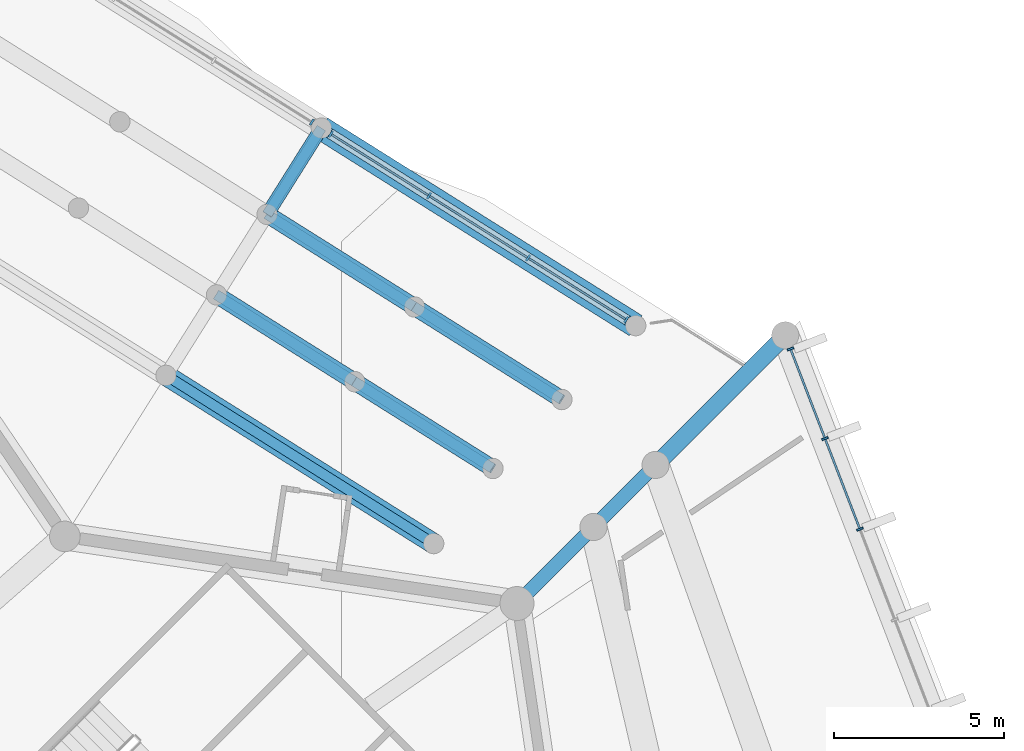
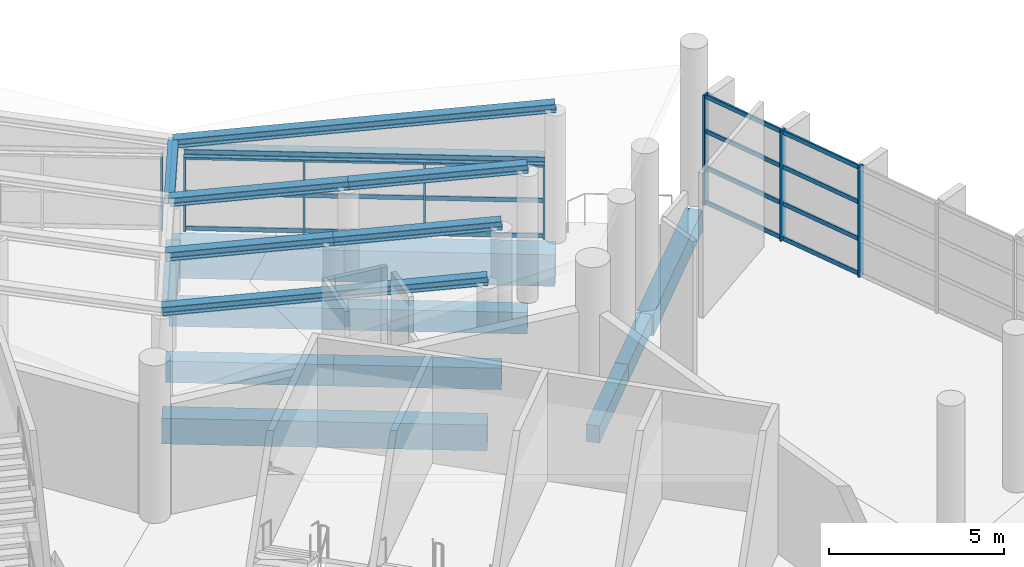
# One storey, part 112 of 271: 25 members, 18 beams, 3 elements without a shape of their own.
"""IFC4 building model written with IfcOpenShell, lengths in metres."""

from ifc_helpers import new_model, si_unit, direction, frame, origin, origin_2d, place, context, subcontext, project, spatial, rectangle, i_section, extrude, material, layer, layer_set, material_profile, profile_set, type_object, element, aggregate, save


model = new_model("IFC4")

# Units and contexts
model_context = context("Model", 3, precision=1e-05, world=origin(), true_north=direction((0.0, 1.0)))
body_context = subcontext(model_context, "Body", "Model", "MODEL_VIEW")
ifc_project = project(units=[si_unit("LENGTHUNIT", "METRE"), si_unit("AREAUNIT", "SQUARE_METRE"), si_unit("VOLUMEUNIT", "CUBIC_METRE"), si_unit("PLANEANGLEUNIT", "RADIAN"), si_unit("MASSUNIT", "GRAM", prefix="KILO")], contexts=[model_context])

# Site, building, storey
site_placement = place(None, origin())
site = spatial("IfcSite", under=ifc_project, at=site_placement, CompositionType="ELEMENT")
building_placement = place(site_placement, origin())
building = spatial("IfcBuilding", under=site, at=building_placement, Name="Meseta Stadium", CompositionType="ELEMENT")
storey_placement = place(building_placement, frame((0.0, 0.0, 6.5)))
storey = spatial("IfcBuildingStorey", under=building, at=storey_placement, Name="L01", CompositionType="ELEMENT", Elevation=6.5)

# Beams
ifc_material_1 = material(Name="Steel S355", Category="steel")
ifc_material_profile_1 = material_profile(ifc_material_1, i_section(OverallWidth=0.300048828125, OverallDepth=0.300048828125, WebThickness=0.010986328125, FlangeThickness=0.01904296875, FilletRadius=0.027099609375, at=origin_2d()), Name="HEB 300")
ifc_profile_set_1 = profile_set([ifc_material_profile_1], Name="Steel S355")
beam_type_1 = type_object("IfcBeamType", Name="Gate roof beam HEB 300", PredefinedType="BEAM", material=ifc_profile_set_1)
beam_1_placement = place(storey_placement, frame((77.8154296875, 100.634033203125, 3.14453125), z_axis=(0.531932504062, 0.846552111467, -0.01993323088), x_axis=(-0.84672034344, 0.532038212918, 0.0)))
element("IfcBeam", 1, at=beam_1_placement, inside=storey, type_object=beam_type_1, Name="Gate 2 valley beam", PredefinedType="BEAM", context=body_context, shape_type="SweptSolid", body=[
    extrude(i_section(OverallWidth=0.300048828125, OverallDepth=0.300048828125, WebThickness=0.010986328125, FlangeThickness=0.01904296875, FilletRadius=0.027099609375, at=origin_2d()), origin(), (0.0, 0.0, 1.0), 3.000732421875),
])
beam_2_placement = place(storey_placement, frame((88.415283203125, 97.516845703125, 2.774658203125), z_axis=(-0.846725649112, 0.532029769032, 0.0), x_axis=(-0.532029769032, -0.846725649112, 0.0)))
element("IfcBeam", 2, at=beam_2_placement, inside=storey, type_object=beam_type_1, Name="Gate 2 head beam", PredefinedType="BEAM", context=body_context, shape_type="SweptSolid", body=[
    extrude(i_section(OverallWidth=0.300048828125, OverallDepth=0.300048828125, WebThickness=0.010986328125, FlangeThickness=0.01904296875, FilletRadius=0.027099609375, at=origin_2d()), origin(), (0.0, 0.0, 1.0), 10.333740234375),
])
ifc_material_2 = material(Name="Steel S355", Category="steel")
ifc_material_profile_2 = material_profile(ifc_material_2, i_section(OverallWidth=0.300048828125, OverallDepth=0.300048828125, WebThickness=0.010986328125, FlangeThickness=0.01904296875, FilletRadius=0.027099609375, at=origin_2d()), Name="HEB 300")
ifc_profile_set_2 = profile_set([ifc_material_profile_2], Name="Steel S355")
beam_type_2 = type_object("IfcBeamType", Name="Gate roof beam HEB 300 rafter", PredefinedType="BEAM", material=ifc_profile_set_2)
beam_3_placement = place(storey_placement, frame((82.719482421875, 90.93896484375, 4.56005859375), z_axis=(-0.838536373726, 0.52690935345, -0.138648055105), x_axis=(-0.53204802373, -0.84671417872, 0.0)))
element("IfcBeam", 3, at=beam_3_placement, inside=storey, type_object=beam_type_2, Name="Gate 2 roof rafter", PredefinedType="BEAM", context=body_context, shape_type="SweptSolid", body=[
    extrude(i_section(OverallWidth=0.300048828125, OverallDepth=0.300048828125, WebThickness=0.010986328125, FlangeThickness=0.01904296875, FilletRadius=0.027099609375, at=origin_2d()), origin(), (0.0, 0.0, 1.0), 9.4013671875),
])
for number, where, z_axis, x_axis, name in (
    (4, (84.462646484375, 93.150390625, 4.5458984375), (-0.83854094542, 0.526906039336, -0.138632999558), (-0.532043544989, -0.846716993, 0.0), "Gate 2 roof rafter"),
    (5, (80.394287109375, 95.706787109375, 3.873291015625), (-0.838555882071, 0.526883806851, -0.138627150021), (-0.532020655849, -0.846731375201, 0.0), "Gate 2 roof rafter"),
):
    element("IfcBeam", number, at=place(storey_placement, frame(where, z_axis=z_axis, x_axis=x_axis)), inside=storey, type_object=beam_type_2, Name=name, PredefinedType="BEAM", context=body_context, shape_type="SweptSolid", body=[
        extrude(i_section(OverallWidth=0.300048828125, OverallDepth=0.300048828125, WebThickness=0.010986328125, FlangeThickness=0.01904296875, FilletRadius=0.027099609375, at=origin_2d()), origin(), (0.0, 0.0, 1.0), 4.851806640625),
    ])
for number, where, z_axis, x_axis, name in (
    (6, (86.49365234375, 95.181396484375, 4.57958984375), (-0.838555120685, 0.526874755679, -0.138666150886), (-0.532014449592, -0.846735274702, 0.0), "Gate 2 roof rafter"),
    (7, (82.154541015625, 97.90771484375, 3.862060546875), (-0.838555120685, 0.526874755679, -0.138666150886), (-0.532014449592, -0.846735274702, 0.0), "Gate 2 roof rafter"),
):
    element("IfcBeam", number, at=place(storey_placement, frame(where, z_axis=z_axis, x_axis=x_axis)), inside=storey, type_object=beam_type_2, Name=name, PredefinedType="BEAM", context=body_context, shape_type="SweptSolid", body=[
        extrude(i_section(OverallWidth=0.300048828125, OverallDepth=0.300048828125, WebThickness=0.010986328125, FlangeThickness=0.01904296875, FilletRadius=0.027099609375, at=origin_2d()), origin(), (0.0, 0.0, 1.0), 5.174560546875),
    ])
beam_4_placement = place(storey_placement, frame((88.66943359375, 97.357177734375, 4.615478515625), z_axis=(-0.838543051713, 0.526897818913, -0.13865150143), x_axis=(-0.532036635909, -0.846721334354, 0.0)))
element("IfcBeam", 8, at=beam_4_placement, inside=storey, type_object=beam_type_2, Name="Gate 2 roof rafter", PredefinedType="BEAM", context=body_context, shape_type="SweptSolid", body=[
    extrude(i_section(OverallWidth=0.300048828125, OverallDepth=0.300048828125, WebThickness=0.010986328125, FlangeThickness=0.01904296875, FilletRadius=0.027099609375, at=origin_2d()), origin(), (0.0, 0.0, 1.0), 11.040283203125),
])
ifc_material_3 = material(Name="Concrete C40/50", Category="concrete")
ifc_material_profile_3 = material_profile(ifc_material_3, rectangle(XDim=0.39990234375, YDim=0.60009765625, at=origin_2d()), Name="RC 400x600")
ifc_profile_set_3 = profile_set([ifc_material_profile_3], Name="Concrete C40/50")
beam_type_3 = type_object("IfcBeamType", Name="RC beam 400x600", PredefinedType="BEAM", material=ifc_profile_set_3)
beam_5_placement = place(storey_placement, frame((85.173583984375, 89.173583984375, -0.64990234375), z_axis=(0.707106781187, 0.707106781187, 0.0), x_axis=(-0.707106781187, 0.707106781187, 0.0)))
element("IfcBeam", 9, at=beam_5_placement, inside=storey, type_object=beam_type_3, Name="L01 radial beam frame 12 line R to M", PredefinedType="BEAM", context=body_context, shape_type="SweptSolid", body=[
    extrude(rectangle(XDim=0.39990234375, YDim=0.60009765625, at=origin_2d()), origin(), (0.0, 0.0, 1.0), 3.18603515625),
])
beam_6_placement = place(storey_placement, frame((87.426513671875, 91.426513671875, -0.64990234375), z_axis=(0.707106781187, 0.707106781187, 0.0), x_axis=(-0.707106781187, 0.707106781187, 0.0)))
element("IfcBeam", 10, at=beam_6_placement, inside=storey, type_object=beam_type_3, Name="L01 radial beam frame 12 line M to Q", PredefinedType="BEAM", context=body_context, shape_type="SweptSolid", body=[
    extrude(rectangle(XDim=0.39990234375, YDim=0.60009765625, at=origin_2d()), origin(), (0.0, 0.0, 1.0), 2.585693359375),
])
beam_7_placement = place(storey_placement, frame((77.8154296875, 100.634033203125, -0.64990234375), z_axis=(0.532038212918, 0.84672034344, 0.0), x_axis=(-0.84672034344, 0.532038212918, 0.0)))
element("IfcBeam", 11, at=beam_7_placement, inside=storey, type_object=beam_type_3, Name="Gate 2 floor beam", PredefinedType="BEAM", context=body_context, shape_type="SweptSolid", body=[
    extrude(rectangle(XDim=0.39990234375, YDim=0.60009765625, at=origin_2d()), origin(), (0.0, 0.0, 1.0), 3.000244140625),
])
ifc_material_4 = material(Name="Concrete C40/50", Category="concrete")
ifc_material_profile_4 = material_profile(ifc_material_4, rectangle(XDim=0.5, YDim=0.75, at=origin_2d()), Name="RC 500x750")
ifc_profile_set_4 = profile_set([ifc_material_profile_4], Name="Concrete C40/50")
beam_type_4 = type_object("IfcBeamType", Name="RC beam 500x750", PredefinedType="BEAM", material=ifc_profile_set_4)
beam_8_placement = place(storey_placement, frame((89.2548828125, 93.2548828125, -0.72509765625), z_axis=(0.707106781187, 0.707106781187, 0.0), x_axis=(-0.707106781187, 0.707106781187, 0.0)))
element("IfcBeam", 12, at=beam_8_placement, inside=storey, type_object=beam_type_4, Name="L01 radial beam frame 12 line Q to O", PredefinedType="BEAM", context=body_context, shape_type="SweptSolid", body=[
    extrude(rectangle(XDim=0.5, YDim=0.75, at=origin_2d()), origin(), (0.0, 0.0, 1.0), 5.39990234375),
])
beam_9_placement = place(storey_placement, frame((84.462646484375, 93.150390625, -0.72509765625), z_axis=(-0.846716993, 0.532043544989, 0.0), x_axis=(-0.532043544989, -0.846716993, 0.0)))
element("IfcBeam", 13, at=beam_9_placement, inside=storey, type_object=beam_type_4, Name="Gate 2 floor beam", PredefinedType="BEAM", context=body_context, shape_type="SweptSolid", body=[
    extrude(rectangle(XDim=0.5, YDim=0.75, at=origin_2d()), origin(), (0.0, 0.0, 1.0), 4.804931640625),
])
beam_10_placement = place(storey_placement, frame((80.394287109375, 95.706787109375, -0.72509765625), z_axis=(-0.846731375201, 0.532020655849, 0.0), x_axis=(-0.532020655849, -0.846731375201, 0.0)))
element("IfcBeam", 14, at=beam_10_placement, inside=storey, type_object=beam_type_4, Name="Gate 2 floor beam", PredefinedType="BEAM", context=body_context, shape_type="SweptSolid", body=[
    extrude(rectangle(XDim=0.5, YDim=0.75, at=origin_2d()), origin(), (0.0, 0.0, 1.0), 4.80517578125),
])
for number, where, z_axis, x_axis, name in (
    (15, (86.49365234375, 95.181396484375, -0.72509765625), (-0.846735274702, 0.532014449592, 0.0), (-0.532014449592, -0.846735274702, 0.0), "Gate 2 floor beam"),
    (16, (82.154541015625, 97.90771484375, -0.72509765625), (-0.846735274702, 0.532014449592, 0.0), (-0.532014449592, -0.846735274702, 0.0), "Gate 2 floor beam"),
):
    element("IfcBeam", number, at=place(storey_placement, frame(where, z_axis=z_axis, x_axis=x_axis)), inside=storey, type_object=beam_type_4, Name=name, PredefinedType="BEAM", context=body_context, shape_type="SweptSolid", body=[
        extrude(rectangle(XDim=0.5, YDim=0.75, at=origin_2d()), origin(), (0.0, 0.0, 1.0), 5.12451171875),
    ])
ifc_material_5 = material(Name="Concrete C40/50", Category="concrete")
ifc_material_profile_5 = material_profile(ifc_material_5, rectangle(XDim=0.60009765625, YDim=0.89990234375, at=origin_2d()), Name="RC 600x900")
ifc_profile_set_5 = profile_set([ifc_material_profile_5], Name="Concrete C40/50")
beam_type_5 = type_object("IfcBeamType", Name="RC beam 600x900", PredefinedType="BEAM", material=ifc_profile_set_5)
beam_11_placement = place(storey_placement, frame((82.719482421875, 90.93896484375, -0.800048828125), z_axis=(-0.84671417872, 0.53204802373, 0.0), x_axis=(-0.53204802373, -0.84671417872, 0.0)))
element("IfcBeam", 17, at=beam_11_placement, inside=storey, type_object=beam_type_5, Name="Gate 2 floor beam", PredefinedType="BEAM", context=body_context, shape_type="SweptSolid", body=[
    extrude(rectangle(XDim=0.60009765625, YDim=0.89990234375, at=origin_2d()), origin(), (0.0, 0.0, 1.0), 9.310546875),
])
ifc_material_6 = material(Name="Concrete C40/50", Category="concrete")
ifc_material_profile_6 = material_profile(ifc_material_6, rectangle(XDim=0.699951171875, YDim=1.10009765625, at=origin_2d()), Name="RC 700x1100")
ifc_profile_set_6 = profile_set([ifc_material_profile_6], Name="Concrete C40/50")
beam_type_6 = type_object("IfcBeamType", Name="RC beam 700x1100", PredefinedType="BEAM", material=ifc_profile_set_6)
beam_12_placement = place(storey_placement, frame((88.66943359375, 97.357177734375, -0.89990234375), z_axis=(-0.846721334354, 0.532036635909, 0.0), x_axis=(-0.532036635909, -0.846721334354, 0.0)))
element("IfcBeam", 18, at=beam_12_placement, inside=storey, type_object=beam_type_6, Name="Gate 2 floor beam", PredefinedType="BEAM", context=body_context, shape_type="SweptSolid", body=[
    extrude(rectangle(XDim=0.699951171875, YDim=1.10009765625, at=origin_2d()), origin(), (0.0, 0.0, 1.0), 10.933837890625),
])

# Curtain wall, members
ifc_material_7 = material(Name="Aluminium", Category="aluminium")
ifc_layer_1 = layer(ifc_material_7, 0.199951171875)
ifc_layer_set_1 = layer_set([ifc_layer_1], Name="Ring shopfront curtain wall")
curtain_wall_type_1 = type_object("IfcCurtainWallType", Name="Ring shopfront curtain wall", PredefinedType="NOTDEFINED", material=ifc_layer_set_1)
curtain_wall_1_placement = place(storey_placement, origin())
curtain_wall_1 = element("IfcCurtainWall", 19, at=curtain_wall_1_placement, inside=storey, type_object=curtain_wall_type_1, Name="Ring glazing L01 F11", PredefinedType="NOTDEFINED")
ifc_material_8 = material(Name="Aluminium", Category="aluminium")
ifc_material_profile_7 = material_profile(ifc_material_8, rectangle(XDim=0.199951171875, YDim=0.06005859375, at=origin_2d()), Name="CW 200x60")
ifc_profile_set_7 = profile_set([ifc_material_profile_7], Name="Aluminium")
member_type_1 = type_object("IfcMemberType", Name="Ring CW mullion 60x200", PredefinedType="MULLION", material=ifc_profile_set_7)
member_1_placement = place(storey_placement, frame((95.271484375, 91.36376953125, 0.0), z_axis=(0.0, 0.0, 1.0), x_axis=(-0.933221328815, -0.359302033734, 0.0)))
member_1 = element("IfcMember", 20, at=member_1_placement, type_object=member_type_1, Name="CWR1 mullion 4", PredefinedType="MULLION", context=body_context, shape_type="SweptSolid", body=[
    extrude(rectangle(XDim=0.199951171875, YDim=0.06005859375, at=origin_2d()), origin(), (0.0, 0.0, 1.0), 3.85009765625),
])
member_2_placement = place(storey_placement, frame((94.244140625, 94.03173828125, 0.0), z_axis=(0.0, 0.0, 1.0), x_axis=(-0.933221328815, -0.359302033734, 0.0)))
member_2 = element("IfcMember", 21, at=member_2_placement, type_object=member_type_1, Name="CWR1 mullion 5", PredefinedType="MULLION", context=body_context, shape_type="SweptSolid", body=[
    extrude(rectangle(XDim=0.199951171875, YDim=0.06005859375, at=origin_2d()), origin(), (0.0, 0.0, 1.0), 3.85009765625),
])
member_3_placement = place(storey_placement, frame((93.227783203125, 96.671875, 0.0), z_axis=(0.0, 0.0, 1.0), x_axis=(-0.933221328815, -0.359302033734, 0.0)))
member_3 = element("IfcMember", 22, at=member_3_placement, type_object=member_type_1, Name="CWR1 mullion 6", PredefinedType="MULLION", context=body_context, shape_type="SweptSolid", body=[
    extrude(rectangle(XDim=0.199951171875, YDim=0.06005859375, at=origin_2d()), origin(), (0.0, 0.0, 1.0), 3.85009765625),
])

ifc_material_9 = material(Name="Aluminium", Category="aluminium")
ifc_layer_2 = layer(ifc_material_9, 0.199951171875)
ifc_layer_set_2 = layer_set([ifc_layer_2], Name="Gate hall curtain wall")
curtain_wall_type_2 = type_object("IfcCurtainWallType", Name="Gate hall curtain wall", PredefinedType="NOTDEFINED", material=ifc_layer_set_2)
curtain_wall_2_placement = place(storey_placement, origin())
curtain_wall_2 = element("IfcCurtainWall", 23, at=curtain_wall_2_placement, inside=storey, type_object=curtain_wall_type_2, Name="Gate 2 hall glazing", PredefinedType="NOTDEFINED")
member_4_placement = place(storey_placement, frame((79.69091796875, 102.998779296875, 0.0), z_axis=(0.0, 0.0, 1.0), x_axis=(0.532034592979, 0.846722618024, 0.0)))
member_4 = element("IfcMember", 24, at=member_4_placement, type_object=member_type_1, Name="CWG1 mullion 1", PredefinedType="MULLION", context=body_context, shape_type="SweptSolid", body=[
    extrude(rectangle(XDim=0.199951171875, YDim=0.06005859375, at=origin_2d()), origin(), (0.0, 0.0, 1.0), 2.62451171875),
])
member_5_placement = place(storey_placement, frame((82.582275390625, 101.18212890625, 0.0), z_axis=(0.0, 0.0, 1.0), x_axis=(0.532034592979, 0.846722618024, 0.0)))
member_5 = element("IfcMember", 25, at=member_5_placement, type_object=member_type_1, Name="CWG1 mullion 2", PredefinedType="MULLION", context=body_context, shape_type="SweptSolid", body=[
    extrude(rectangle(XDim=0.199951171875, YDim=0.06005859375, at=origin_2d()), origin(), (0.0, 0.0, 1.0), 2.62451171875),
])
member_6_placement = place(storey_placement, frame((85.498779296875, 99.349365234375, 0.0), z_axis=(0.0, 0.0, 1.0), x_axis=(0.532034592979, 0.846722618024, 0.0)))
member_6 = element("IfcMember", 26, at=member_6_placement, type_object=member_type_1, Name="CWG1 mullion 3", PredefinedType="MULLION", context=body_context, shape_type="SweptSolid", body=[
    extrude(rectangle(XDim=0.199951171875, YDim=0.06005859375, at=origin_2d()), origin(), (0.0, 0.0, 1.0), 2.62451171875),
])
member_7_placement = place(storey_placement, frame((88.389892578125, 97.53271484375, 0.0), z_axis=(0.0, 0.0, 1.0), x_axis=(0.532034592979, 0.846722618024, 0.0)))
member_7 = element("IfcMember", 27, at=member_7_placement, type_object=member_type_1, Name="CWG1 mullion 4", PredefinedType="MULLION", context=body_context, shape_type="SweptSolid", body=[
    extrude(rectangle(XDim=0.199951171875, YDim=0.06005859375, at=origin_2d()), origin(), (0.0, 0.0, 1.0), 2.62451171875),
])

# Curtain wall, member
curtain_wall_3_placement = place(storey_placement, origin())
curtain_wall_3 = element("IfcCurtainWall", 28, at=curtain_wall_3_placement, inside=storey, type_object=curtain_wall_type_2, Name="Gate 2 hall glazing", PredefinedType="NOTDEFINED")
member_8_placement = place(storey_placement, frame((79.132080078125, 103.349853515625, 0.0), z_axis=(0.0, 0.0, 1.0), x_axis=(0.532027655072, 0.846726977389, 0.0)))
member_8 = element("IfcMember", 29, at=member_8_placement, type_object=member_type_1, Name="CWG1 mullion 4", PredefinedType="MULLION", context=body_context, shape_type="SweptSolid", body=[
    extrude(rectangle(XDim=0.199951171875, YDim=0.06005859375, at=origin_2d()), origin(), (0.0, 0.0, 1.0), 2.62451171875),
])
aggregate(curtain_wall_3, [member_8])

# Member
ifc_material_10 = material(Name="Aluminium", Category="aluminium")
ifc_material_profile_8 = material_profile(ifc_material_10, rectangle(XDim=0.06005859375, YDim=0.14990234375, at=origin_2d()), Name="CW 60x150")
ifc_profile_set_8 = profile_set([ifc_material_profile_8], Name="Aluminium")
member_type_2 = type_object("IfcMemberType", Name="Ring CW transom 60x150", PredefinedType="USERDEFINED", material=ifc_profile_set_8)
member_9_placement = place(storey_placement, frame((95.2607421875, 91.3916015625, 0.074951171875), z_axis=(-0.359358964399, 0.933199407793, 0.0), x_axis=(-0.933199407793, -0.359358964399, 0.0)))
member_9 = element("IfcMember", 30, at=member_9_placement, type_object=member_type_2, Name="CWR1 transom 4.1", ObjectType="TRANSOM", PredefinedType="USERDEFINED", context=body_context, shape_type="SweptSolid", body=[
    extrude(rectangle(XDim=0.06005859375, YDim=0.14990234375, at=origin_2d()), origin(), (0.0, 0.0, 1.0), 2.799072265625),
])

member_10_placement = place(storey_placement, frame((95.2607421875, 91.3916015625, 1.283447265625), z_axis=(-0.359358964399, 0.933199407793, 0.0), x_axis=(-0.933199407793, -0.359358964399, 0.0)))
member_10 = element("IfcMember", 31, at=member_10_placement, type_object=member_type_2, Name="CWR1 transom 4.2", ObjectType="TRANSOM", PredefinedType="USERDEFINED", context=body_context, shape_type="SweptSolid", body=[
    extrude(rectangle(XDim=0.06005859375, YDim=0.14990234375, at=origin_2d()), origin(), (0.0, 0.0, 1.0), 2.799072265625),
])

member_11_placement = place(storey_placement, frame((95.2607421875, 91.3916015625, 2.566650390625), z_axis=(-0.359358964399, 0.933199407793, 0.0), x_axis=(-0.933199407793, -0.359358964399, 0.0)))
member_11 = element("IfcMember", 32, at=member_11_placement, type_object=member_type_2, Name="CWR1 transom 4.3", ObjectType="TRANSOM", PredefinedType="USERDEFINED", context=body_context, shape_type="SweptSolid", body=[
    extrude(rectangle(XDim=0.06005859375, YDim=0.14990234375, at=origin_2d()), origin(), (0.0, 0.0, 1.0), 2.799072265625),
])

member_12_placement = place(storey_placement, frame((95.2607421875, 91.3916015625, 3.77490234375), z_axis=(-0.359358964399, 0.933199407793, 0.0), x_axis=(-0.933199407793, -0.359358964399, 0.0)))
member_12 = element("IfcMember", 33, at=member_12_placement, type_object=member_type_2, Name="CWR1 transom 4.4", ObjectType="TRANSOM", PredefinedType="USERDEFINED", context=body_context, shape_type="SweptSolid", body=[
    extrude(rectangle(XDim=0.06005859375, YDim=0.14990234375, at=origin_2d()), origin(), (0.0, 0.0, 1.0), 2.799072265625),
])

member_13_placement = place(storey_placement, frame((94.2333984375, 94.059814453125, 0.074951171875), z_axis=(-0.35930402419, 0.933220562461, 0.0), x_axis=(-0.933220562461, -0.35930402419, 0.0)))
member_13 = element("IfcMember", 34, at=member_13_placement, type_object=member_type_2, Name="CWR1 transom 5.1", ObjectType="TRANSOM", PredefinedType="USERDEFINED", context=body_context, shape_type="SweptSolid", body=[
    extrude(rectangle(XDim=0.06005859375, YDim=0.14990234375, at=origin_2d()), origin(), (0.0, 0.0, 1.0), 2.768798828125),
])

member_14_placement = place(storey_placement, frame((94.2333984375, 94.059814453125, 1.283447265625), z_axis=(-0.35930402419, 0.933220562461, 0.0), x_axis=(-0.933220562461, -0.35930402419, 0.0)))
member_14 = element("IfcMember", 35, at=member_14_placement, type_object=member_type_2, Name="CWR1 transom 5.2", ObjectType="TRANSOM", PredefinedType="USERDEFINED", context=body_context, shape_type="SweptSolid", body=[
    extrude(rectangle(XDim=0.06005859375, YDim=0.14990234375, at=origin_2d()), origin(), (0.0, 0.0, 1.0), 2.768798828125),
])

member_15_placement = place(storey_placement, frame((94.2333984375, 94.059814453125, 2.566650390625), z_axis=(-0.35930402419, 0.933220562461, 0.0), x_axis=(-0.933220562461, -0.35930402419, 0.0)))
member_15 = element("IfcMember", 36, at=member_15_placement, type_object=member_type_2, Name="CWR1 transom 5.3", ObjectType="TRANSOM", PredefinedType="USERDEFINED", context=body_context, shape_type="SweptSolid", body=[
    extrude(rectangle(XDim=0.06005859375, YDim=0.14990234375, at=origin_2d()), origin(), (0.0, 0.0, 1.0), 2.768798828125),
])

member_16_placement = place(storey_placement, frame((94.2333984375, 94.059814453125, 3.77490234375), z_axis=(-0.35930402419, 0.933220562461, 0.0), x_axis=(-0.933220562461, -0.35930402419, 0.0)))
member_16 = element("IfcMember", 37, at=member_16_placement, type_object=member_type_2, Name="CWR1 transom 5.4", ObjectType="TRANSOM", PredefinedType="USERDEFINED", context=body_context, shape_type="SweptSolid", body=[
    extrude(rectangle(XDim=0.06005859375, YDim=0.14990234375, at=origin_2d()), origin(), (0.0, 0.0, 1.0), 2.768798828125),
])

aggregate(curtain_wall_1, [member_1, member_2, member_3, member_9, member_10, member_11, member_12, member_13, member_14, member_15, member_16])

member_17_placement = place(storey_placement, frame((79.71630859375, 102.982666015625, 0.074951171875), z_axis=(0.846748952019, -0.531992680641, 0.0), x_axis=(0.531992680641, 0.846748952019, 0.0)))
member_17 = element("IfcMember", 38, at=member_17_placement, type_object=member_type_2, Name="CWG1 transom 1.1", ObjectType="TRANSOM", PredefinedType="USERDEFINED", context=body_context, shape_type="SweptSolid", body=[
    extrude(rectangle(XDim=0.06005859375, YDim=0.14990234375, at=origin_2d()), origin(), (0.0, 0.0, 1.0), 3.354736328125),
])

member_18_placement = place(storey_placement, frame((79.71630859375, 102.982666015625, 1.312255859375), z_axis=(0.846748952019, -0.531992680641, 0.0), x_axis=(0.531992680641, 0.846748952019, 0.0)))
member_18 = element("IfcMember", 39, at=member_18_placement, type_object=member_type_2, Name="CWG1 transom 1.2", ObjectType="TRANSOM", PredefinedType="USERDEFINED", context=body_context, shape_type="SweptSolid", body=[
    extrude(rectangle(XDim=0.06005859375, YDim=0.14990234375, at=origin_2d()), origin(), (0.0, 0.0, 1.0), 3.354736328125),
])

member_19_placement = place(storey_placement, frame((79.71630859375, 102.982666015625, 2.549560546875), z_axis=(0.846748952019, -0.531992680641, 0.0), x_axis=(0.531992680641, 0.846748952019, 0.0)))
member_19 = element("IfcMember", 40, at=member_19_placement, type_object=member_type_2, Name="CWG1 transom 1.3", ObjectType="TRANSOM", PredefinedType="USERDEFINED", context=body_context, shape_type="SweptSolid", body=[
    extrude(rectangle(XDim=0.06005859375, YDim=0.14990234375, at=origin_2d()), origin(), (0.0, 0.0, 1.0), 3.354736328125),
])

member_20_placement = place(storey_placement, frame((82.607666015625, 101.166015625, 0.074951171875), z_axis=(0.84673960976, -0.532007550007, 0.0), x_axis=(0.532007550007, 0.84673960976, 0.0)))
member_20 = element("IfcMember", 41, at=member_20_placement, type_object=member_type_2, Name="CWG1 transom 2.1", ObjectType="TRANSOM", PredefinedType="USERDEFINED", context=body_context, shape_type="SweptSolid", body=[
    extrude(rectangle(XDim=0.06005859375, YDim=0.14990234375, at=origin_2d()), origin(), (0.0, 0.0, 1.0), 3.384521484375),
])

member_21_placement = place(storey_placement, frame((82.607666015625, 101.166015625, 1.312255859375), z_axis=(0.84673960976, -0.532007550007, 0.0), x_axis=(0.532007550007, 0.84673960976, 0.0)))
member_21 = element("IfcMember", 42, at=member_21_placement, type_object=member_type_2, Name="CWG1 transom 2.2", ObjectType="TRANSOM", PredefinedType="USERDEFINED", context=body_context, shape_type="SweptSolid", body=[
    extrude(rectangle(XDim=0.06005859375, YDim=0.14990234375, at=origin_2d()), origin(), (0.0, 0.0, 1.0), 3.384521484375),
])

member_22_placement = place(storey_placement, frame((82.607666015625, 101.166015625, 2.549560546875), z_axis=(0.84673960976, -0.532007550007, 0.0), x_axis=(0.532007550007, 0.84673960976, 0.0)))
member_22 = element("IfcMember", 43, at=member_22_placement, type_object=member_type_2, Name="CWG1 transom 2.3", ObjectType="TRANSOM", PredefinedType="USERDEFINED", context=body_context, shape_type="SweptSolid", body=[
    extrude(rectangle(XDim=0.06005859375, YDim=0.14990234375, at=origin_2d()), origin(), (0.0, 0.0, 1.0), 3.384521484375),
])

member_23_placement = place(storey_placement, frame((85.524169921875, 99.33349609375, 0.074951171875), z_axis=(0.846728353322, -0.532025465256, 0.0), x_axis=(0.532025465256, 0.846728353322, 0.0)))
member_23 = element("IfcMember", 44, at=member_23_placement, type_object=member_type_2, Name="CWG1 transom 3.1", ObjectType="TRANSOM", PredefinedType="USERDEFINED", context=body_context, shape_type="SweptSolid", body=[
    extrude(rectangle(XDim=0.06005859375, YDim=0.14990234375, at=origin_2d()), origin(), (0.0, 0.0, 1.0), 3.3544921875),
])

member_24_placement = place(storey_placement, frame((85.524169921875, 99.33349609375, 1.312255859375), z_axis=(0.846728353322, -0.532025465256, 0.0), x_axis=(0.532025465256, 0.846728353322, 0.0)))
member_24 = element("IfcMember", 45, at=member_24_placement, type_object=member_type_2, Name="CWG1 transom 3.2", ObjectType="TRANSOM", PredefinedType="USERDEFINED", context=body_context, shape_type="SweptSolid", body=[
    extrude(rectangle(XDim=0.06005859375, YDim=0.14990234375, at=origin_2d()), origin(), (0.0, 0.0, 1.0), 3.3544921875),
])

member_25_placement = place(storey_placement, frame((85.524169921875, 99.33349609375, 2.549560546875), z_axis=(0.846728353322, -0.532025465256, 0.0), x_axis=(0.532025465256, 0.846728353322, 0.0)))
member_25 = element("IfcMember", 46, at=member_25_placement, type_object=member_type_2, Name="CWG1 transom 3.3", ObjectType="TRANSOM", PredefinedType="USERDEFINED", context=body_context, shape_type="SweptSolid", body=[
    extrude(rectangle(XDim=0.06005859375, YDim=0.14990234375, at=origin_2d()), origin(), (0.0, 0.0, 1.0), 3.3544921875),
])

aggregate(curtain_wall_2, [member_4, member_5, member_6, member_7, member_17, member_18, member_19, member_20, member_21, member_22, member_23, member_24, member_25])

save(model, "model.ifc")
